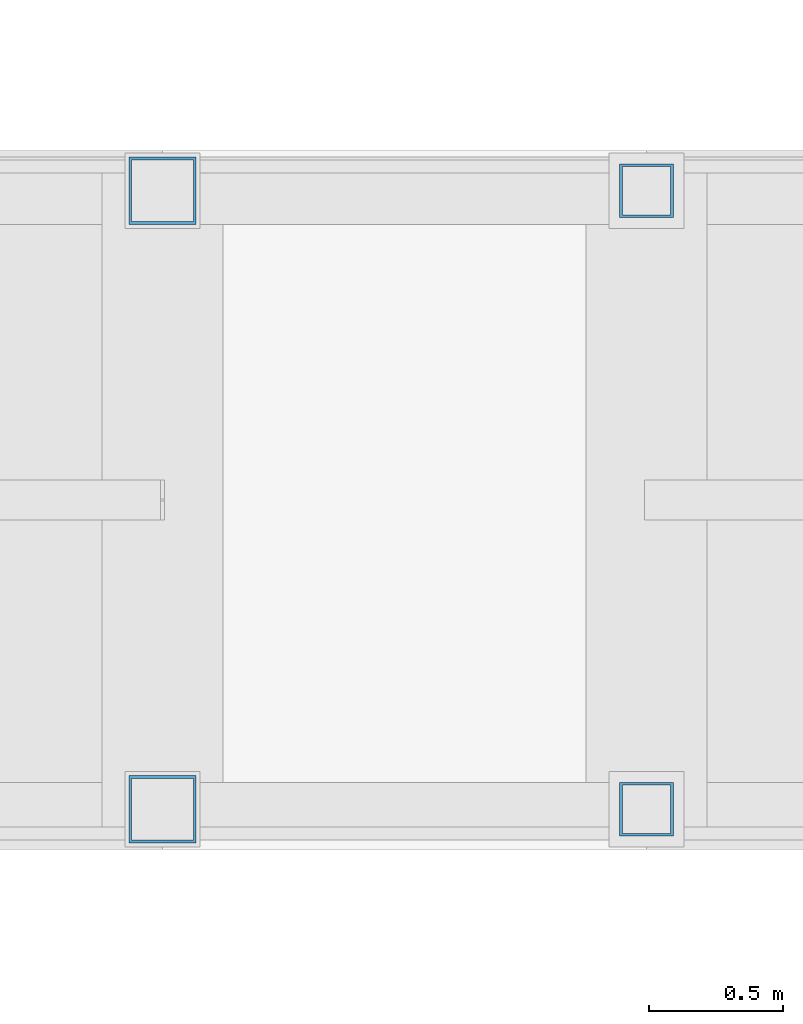
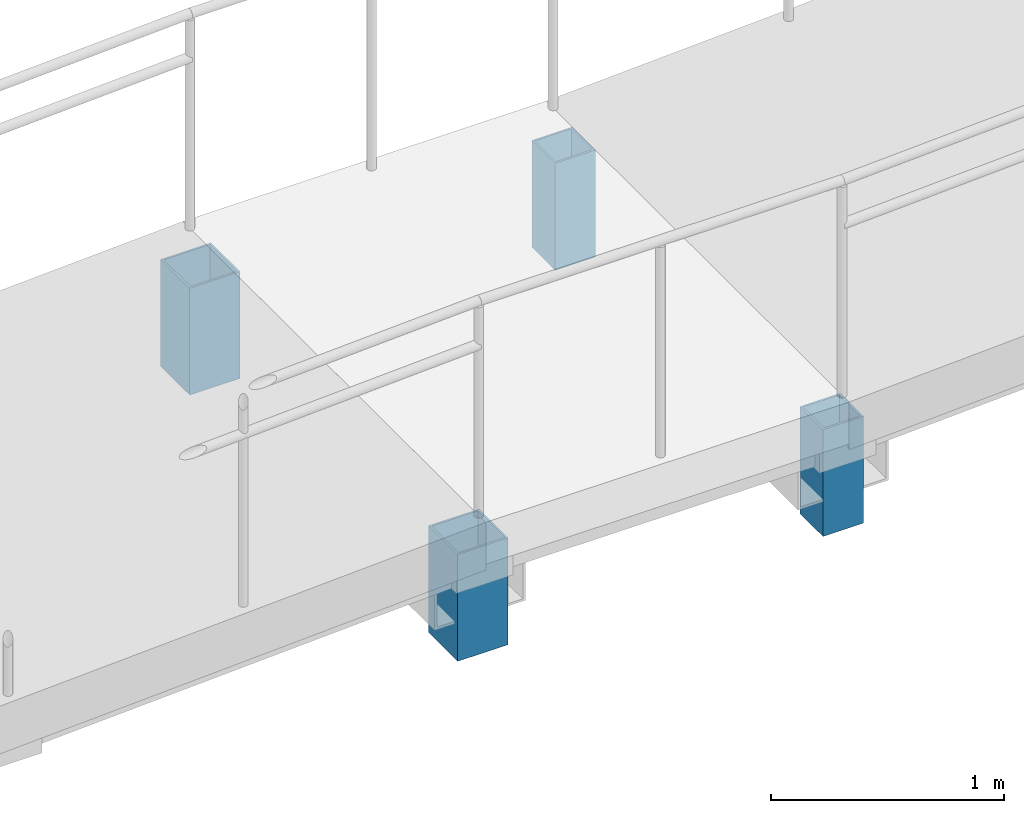
# One storey, part 7 of 41: 4 columns.
"""IFC4 building model written with IfcOpenShell, lengths in metres."""

from ifc_helpers import new_model, si_unit, direction, frame, origin, origin_2d, place, context, subcontext, project, spatial, hollow_rectangle, extrude, material, material_profile, profile_set, type_object, element, save


model = new_model("IFC4")

# Units and contexts
model_context = context("Model", 3, precision=1e-05, world=origin(), true_north=direction((0.0, 1.0)))
body_context = subcontext(model_context, "Body", "Model", "MODEL_VIEW")
ifc_project = project(units=[si_unit("LENGTHUNIT", "METRE"), si_unit("AREAUNIT", "SQUARE_METRE"), si_unit("VOLUMEUNIT", "CUBIC_METRE"), si_unit("PLANEANGLEUNIT", "RADIAN"), si_unit("MASSUNIT", "GRAM", prefix="KILO")], contexts=[model_context])

# Site, building, storey
site_placement = place(None, origin())
site = spatial("IfcSite", under=ifc_project, at=site_placement, CompositionType="ELEMENT")
building_placement = place(site_placement, origin())
building = spatial("IfcBuilding", under=site, at=building_placement, Name="Malvenik Polytechnic", CompositionType="ELEMENT")
storey_placement = place(building_placement, frame((0.0, 0.0, 17.699951171875)))
storey = spatial("IfcBuildingStorey", under=building, at=storey_placement, Name="L04", CompositionType="ELEMENT", Elevation=17.699951171875)

# Columns
ifc_material = material(Name="Steel S355J2H", Category="steel")
ifc_material_profile_1 = material_profile(ifc_material, hollow_rectangle(XDim=0.25, YDim=0.25, WallThickness=0.010009765625, at=origin_2d()), Name="SHS 250x250x10.0")
ifc_profile_set_1 = profile_set([ifc_material_profile_1], Name="Steel S355J2H")
column_type_1 = type_object("IfcColumnType", Name="STR-SCOL-SC-01", PredefinedType="COLUMN", material=ifc_profile_set_1)
for number, where, z_axis, x_axis, name in (
    (1, (39.800048828125, 103.14990234375, 0.0), (0.0, 0.0, 1.0), (1.0, 0.0, 0.0), "Bridge-Ramp Support Column SC-01 L04"),
    (2, (39.800048828125, 105.449951171875, 0.0), (0.0, 0.0, 1.0), (1.0, 0.0, 0.0), "Bridge-Ramp Support Column SC-01 L04"),
):
    element("IfcColumn", number, at=place(storey_placement, frame(where, z_axis=z_axis, x_axis=x_axis)), inside=storey, type_object=column_type_1, Name=name, PredefinedType="COLUMN", context=body_context, shape_type="SweptSolid", body=[
        extrude(hollow_rectangle(XDim=0.25, YDim=0.25, WallThickness=0.010009765625, at=origin_2d()), origin(), (0.0, 0.0, 1.0), 0.56005859375),
    ])
ifc_material_profile_2 = material_profile(ifc_material, hollow_rectangle(XDim=0.199951171875, YDim=0.199951171875, WallThickness=0.010009765625, at=origin_2d()), Name="SHS 200x200x10.0")
ifc_profile_set_2 = profile_set([ifc_material_profile_2], Name="Steel S355J2H")
column_type_2 = type_object("IfcColumnType", Name="STR-SCOL-SC-02", PredefinedType="COLUMN", material=ifc_profile_set_2)
for number, where, z_axis, x_axis, name in (
    (3, (41.60009765625, 103.14990234375, 0.0), (0.0, 0.0, 1.0), (1.0, 0.0, 0.0), "Bridge-Ramp Support Column SC-02 L04"),
    (4, (41.60009765625, 105.449951171875, 0.0), (0.0, 0.0, 1.0), (1.0, 0.0, 0.0), "Bridge-Ramp Support Column SC-02 L04"),
):
    element("IfcColumn", number, at=place(storey_placement, frame(where, z_axis=z_axis, x_axis=x_axis)), inside=storey, type_object=column_type_2, Name=name, PredefinedType="COLUMN", context=body_context, shape_type="SweptSolid", body=[
        extrude(hollow_rectangle(XDim=0.199951171875, YDim=0.199951171875, WallThickness=0.010009765625, at=origin_2d()), origin(), (0.0, 0.0, 1.0), 0.56005859375),
    ])

save(model, "model.ifc")
